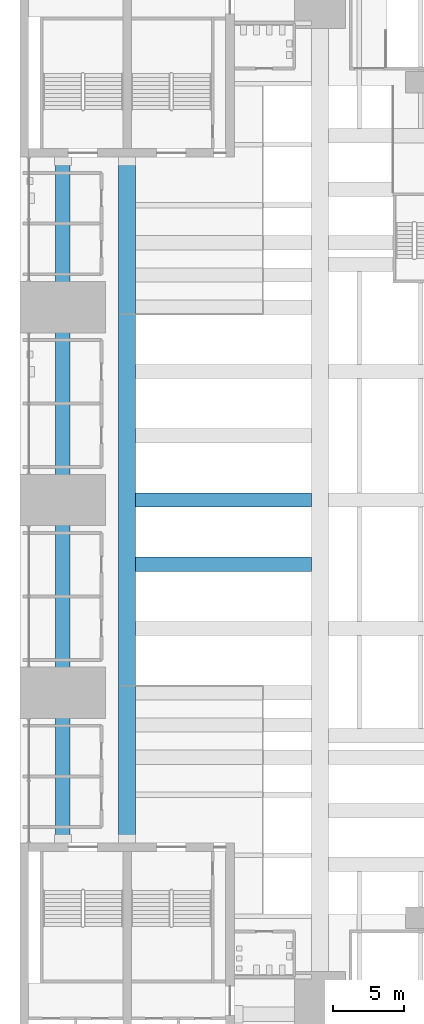
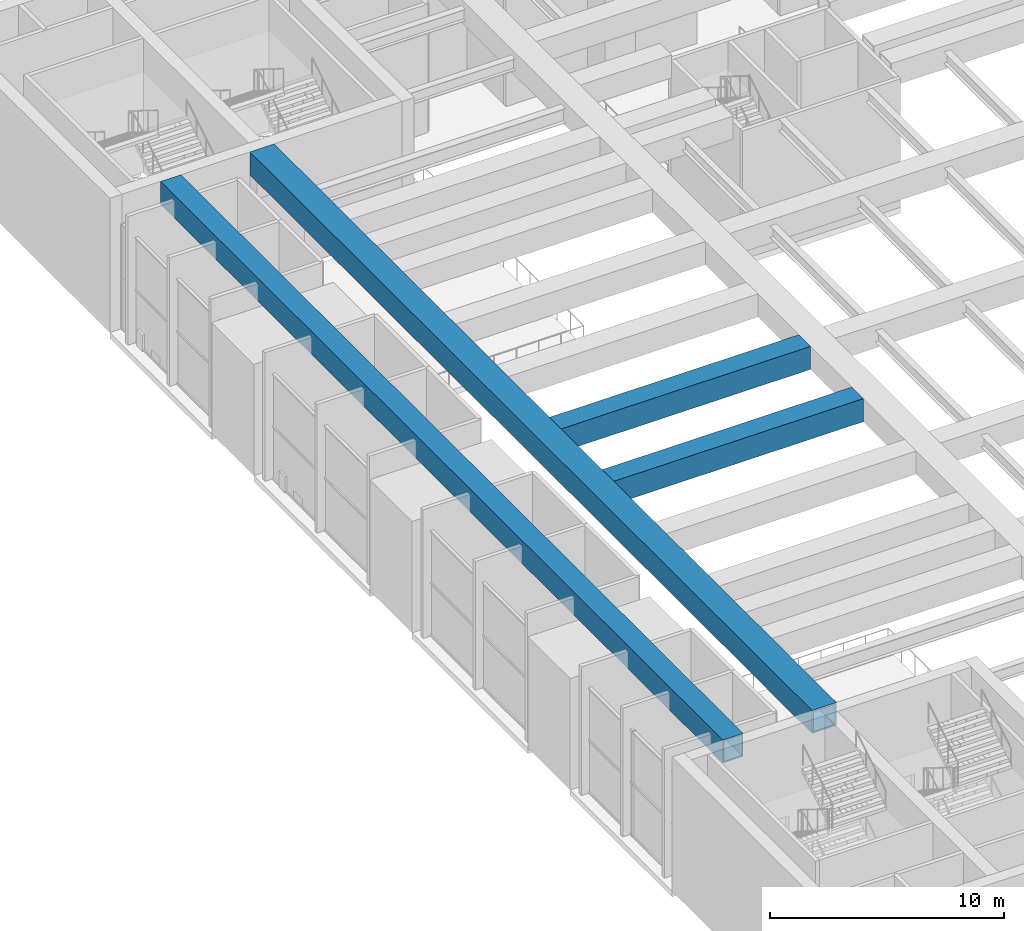
# One storey, part 9 of 45: 4 members.
"""IFC4 building model written with IfcOpenShell, lengths in metres."""

from ifc_helpers import new_model, si_unit, direction, frame, origin, origin_2d, place, context, subcontext, project, spatial, hollow_rectangle, extrude, material, material_profile, profile_set, type_object, element, save


model = new_model("IFC4")

# Units and contexts
model_context = context("Model", 3, precision=1e-05, world=origin(), true_north=direction((0.0, 1.0)))
body_context = subcontext(model_context, "Body", "Model", "MODEL_VIEW")
ifc_project = project(units=[si_unit("LENGTHUNIT", "METRE"), si_unit("AREAUNIT", "SQUARE_METRE"), si_unit("VOLUMEUNIT", "CUBIC_METRE"), si_unit("PLANEANGLEUNIT", "RADIAN"), si_unit("MASSUNIT", "GRAM", prefix="KILO")], contexts=[model_context])

# Site, building, storey
site_placement = place(None, origin())
site = spatial("IfcSite", under=ifc_project, at=site_placement, CompositionType="ELEMENT")
building_placement = place(site_placement, origin())
building = spatial("IfcBuilding", under=site, at=building_placement, Name="Corbelhall Arena Tower", CompositionType="ELEMENT")
storey_placement = place(building_placement, frame((0.0, 0.0, 37.0)))
storey = spatial("IfcBuildingStorey", under=building, at=storey_placement, Name="L05", CompositionType="ELEMENT", Elevation=37.0)

# Members
ifc_material = material(Name="Steel ASTM A572 Gr50", Category="steel")
ifc_material_profile_1 = material_profile(ifc_material, hollow_rectangle(XDim=1.0, YDim=1.199951171875, WallThickness=0.06005859375, at=origin_2d()))
ifc_profile_set_1 = profile_set([ifc_material_profile_1], Name="Steel ASTM A572 Gr50")
member_type_1 = type_object("IfcMemberType", Name="PO-CHORD-1200X1000X60", PredefinedType="CHORD", material=ifc_profile_set_1)
member_1_placement = place(storey_placement, frame((-45.0, -24.0, 6.39990234375), z_axis=(0.0, 1.0, 0.0), x_axis=(-1.0, 0.0, 0.0)))
element("IfcMember", 1, at=member_1_placement, inside=storey, type_object=member_type_1, Name="TRUSS EDGE-W BOT CHORD", PredefinedType="CHORD", context=body_context, shape_type="SweptSolid", body=[
    extrude(hollow_rectangle(XDim=1.0, YDim=1.199951171875, WallThickness=0.06005859375, at=origin_2d()), origin(), (0.0, 0.0, 1.0), 48.0),
])
for number, where, z_axis, x_axis, name in (
    (2, (-39.89990234375, -4.5, 6.39990234375), (1.0, 0.0, 0.0), (0.0, 1.0, 0.0), "TRUSS SEC-S04.50-0 BOT CHORD"),
    (3, (-39.89990234375, 0.0, 6.39990234375), (1.0, 0.0, 0.0), (0.0, 1.0, 0.0), "TRUSS SEC-N00.00-0 BOT CHORD"),
):
    element("IfcMember", number, at=place(storey_placement, frame(where, z_axis=z_axis, x_axis=x_axis)), inside=storey, type_object=member_type_1, Name=name, PredefinedType="CHORD", context=body_context, shape_type="SweptSolid", body=[
        extrude(hollow_rectangle(XDim=1.0, YDim=1.199951171875, WallThickness=0.06005859375, at=origin_2d()), origin(), (0.0, 0.0, 1.0), 12.2998046875),
    ])
ifc_material_profile_2 = material_profile(ifc_material, hollow_rectangle(XDim=1.199951171875, YDim=1.199951171875, WallThickness=0.080078125, at=origin_2d()))
ifc_profile_set_2 = profile_set([ifc_material_profile_2], Name="Steel ASTM A572 Gr50")
member_type_2 = type_object("IfcMemberType", Name="PO-CHORD-1200X1200X80", PredefinedType="CHORD", material=ifc_profile_set_2)
member_2_placement = place(storey_placement, frame((-40.5, -24.0, 6.39990234375), z_axis=(0.0, 1.0, 0.0), x_axis=(-1.0, 0.0, 0.0)))
element("IfcMember", 4, at=member_2_placement, inside=storey, type_object=member_type_2, Name="TRUSS PRI--40.5 BOT CHORD", PredefinedType="CHORD", context=body_context, shape_type="SweptSolid", body=[
    extrude(hollow_rectangle(XDim=1.199951171875, YDim=1.199951171875, WallThickness=0.080078125, at=origin_2d()), origin(), (0.0, 0.0, 1.0), 48.0),
])

save(model, "model.ifc")
